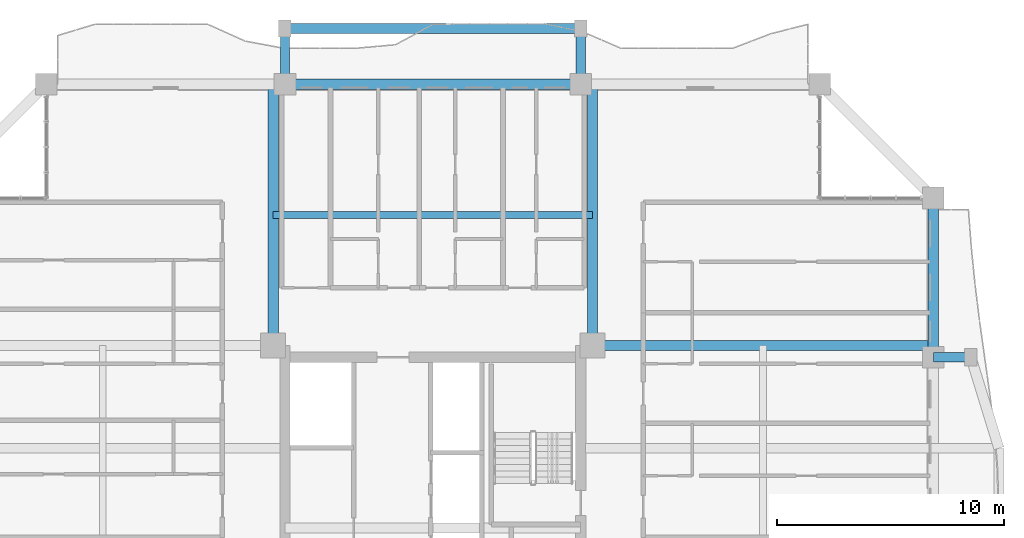
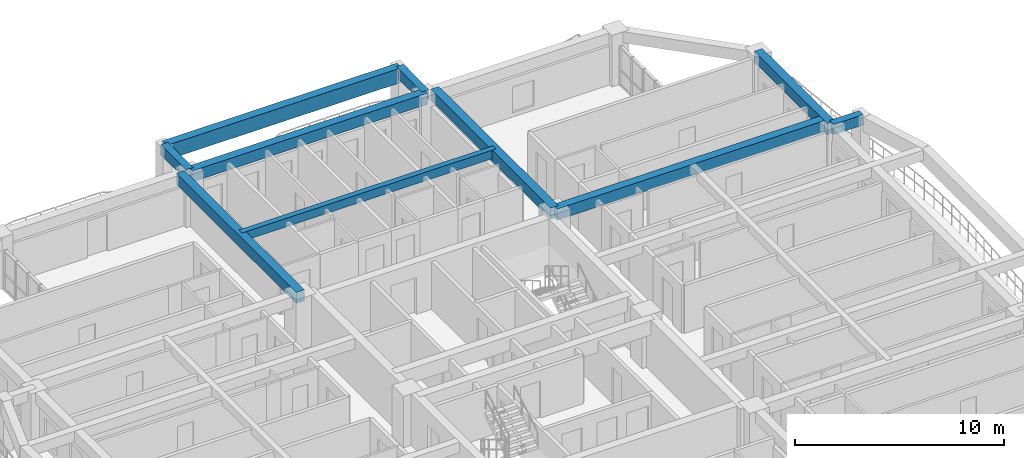
# One storey, part 8 of 24: 10 beams.
"""IFC4 building model written with IfcOpenShell, lengths in metres."""

from ifc_helpers import new_model, si_unit, direction, frame, origin, origin_2d, place, context, subcontext, project, spatial, rectangle, extrude, source, transform, mapped, material, material_profile, profile_set, type_object, element, save


model = new_model("IFC4")

# Units and contexts
model_context = context("Model", 3, precision=1e-05, world=origin(), true_north=direction((0.0, 1.0)))
body_context = subcontext(model_context, "Body", "Model", "MODEL_VIEW")
ifc_project = project(units=[si_unit("LENGTHUNIT", "METRE"), si_unit("AREAUNIT", "SQUARE_METRE"), si_unit("VOLUMEUNIT", "CUBIC_METRE"), si_unit("PLANEANGLEUNIT", "RADIAN"), si_unit("MASSUNIT", "GRAM", prefix="KILO")], contexts=[model_context])

# Site, building, storey
site_placement = place(None, origin())
site = spatial("IfcSite", under=ifc_project, at=site_placement, CompositionType="ELEMENT")
building_placement = place(site_placement, origin())
building = spatial("IfcBuilding", under=site, at=building_placement, Name="Saelheon Loggia Tower", CompositionType="ELEMENT")
storey_placement = place(building_placement, frame((0.0, 0.0, 166.0)))
storey = spatial("IfcBuildingStorey", under=building, at=storey_placement, Name="L52", CompositionType="ELEMENT", Elevation=166.0)

# Beams
ifc_material_1 = material(Name="Precast Concrete C45/55", Category="concrete")
ifc_material_profile_1 = material_profile(ifc_material_1, rectangle(XDim=0.449951171875, YDim=0.85009765625, at=origin_2d()), Name="RC-450x850")
ifc_profile_set_1 = profile_set([ifc_material_profile_1], Name="Precast Concrete C45/55")
beam_type_1 = type_object("IfcBeamType", Name="Beam_LoggiaSpandrel_RC450x850", PredefinedType="SPANDREL", material=ifc_profile_set_1)
shared_shape_1 = source(origin(), body_context, "Body", "SweptSolid", [
    extrude(rectangle(XDim=0.449951171875, YDim=0.85009765625, at=origin_2d()), origin(), (0.0, 0.0, 1.0), 13.0),
])
beam_1_placement = place(storey_placement, frame((31.5, 50.449951171875, 2.574951171875), z_axis=(1.0, 0.0, 0.0), x_axis=(0.0, 1.0, 0.0)))
element("IfcBeam", 1, at=beam_1_placement, inside=storey, type_object=beam_type_1, Name="L52 Loggia Spandrel Beam N", PredefinedType="SPANDREL", context=body_context, shape_type="MappedRepresentation", body=[
    mapped(shared_shape_1, transform((0.0, 0.0, 0.0), scale=1.0)),
])
ifc_material_profile_2 = material_profile(ifc_material_1, rectangle(XDim=0.39990234375, YDim=0.60009765625, at=origin_2d()), Name="RC-400x600")
ifc_profile_set_2 = profile_set([ifc_material_profile_2], Name="Precast Concrete C45/55")
beam_type_2 = type_object("IfcBeamType", Name="Beam_LoggiaTie_RC400x600", PredefinedType="BEAM", material=ifc_profile_set_2)
shared_shape_2 = source(origin(), body_context, "Body", "SweptSolid", [
    extrude(rectangle(XDim=0.39990234375, YDim=0.60009765625, at=origin_2d()), origin(), (0.0, 0.0, 1.0), 2.449951171875),
])
for number, where, z_axis, x_axis, name in (
    (2, (31.5, 48.0, 2.699951171875), (0.0, 1.0, 0.0), (-1.0, 0.0, 0.0), "L52 Loggia Frame Tie Beam LP-N1"),
    (3, (44.5, 48.0, 2.699951171875), (0.0, 1.0, 0.0), (-1.0, 0.0, 0.0), "L52 Loggia Frame Tie Beam LP-N2"),
):
    element("IfcBeam", number, at=place(storey_placement, frame(where, z_axis=z_axis, x_axis=x_axis)), inside=storey, type_object=beam_type_2, Name=name, PredefinedType="BEAM", context=body_context, shape_type="MappedRepresentation", body=[
        mapped(shared_shape_2, transform((0.0, 0.0, 0.0), scale=1.0)),
    ])
ifc_material_2 = material(Name="Concrete C40/50", Category="concrete")
ifc_material_profile_3 = material_profile(ifc_material_2, rectangle(XDim=0.449951171875, YDim=0.64990234375, at=origin_2d()), Name="RC-450x650")
ifc_profile_set_3 = profile_set([ifc_material_profile_3], Name="Concrete C40/50")
beam_type_3 = type_object("IfcBeamType", Name="Beam_PerimTower_RC450x650", PredefinedType="BEAM", material=ifc_profile_set_3)
shared_shape_3 = source(origin(), body_context, "Body", "SweptSolid", [
    extrude(rectangle(XDim=0.449951171875, YDim=0.64990234375, at=origin_2d()), origin(), (0.0, 0.0, 1.0), 13.0),
])
beam_2_placement = place(storey_placement, frame((44.5, 48.0, 2.675048828125), z_axis=(-1.0, 0.0, 0.0), x_axis=(0.0, -1.0, 0.0)))
element("IfcBeam", 4, at=beam_2_placement, inside=storey, type_object=beam_type_3, Name="L52 Perimeter Frame Girder 10", PredefinedType="BEAM", context=body_context, shape_type="MappedRepresentation", body=[
    mapped(shared_shape_3, transform((0.0, 0.0, 0.0), scale=1.0)),
])
ifc_material_profile_4 = material_profile(ifc_material_2, rectangle(XDim=0.300048828125, YDim=0.5, at=origin_2d()), Name="RC-300x500")
ifc_profile_set_4 = profile_set([ifc_material_profile_4], Name="Concrete C40/50")
beam_type_4 = type_object("IfcBeamType", Name="Beam_Joist_RC300x500", PredefinedType="JOIST", material=ifc_profile_set_4)
shared_shape_4 = source(origin(), body_context, "Body", "SweptSolid", [
    extrude(rectangle(XDim=0.300048828125, YDim=0.5, at=origin_2d()), origin(), (0.0, 0.0, 1.0), 14.0400390625),
])
beam_3_placement = place(storey_placement, frame((30.97998046875, 42.260009765625, 2.75), z_axis=(1.0, 0.0, 0.0), x_axis=(0.0, 1.0, 0.0)))
element("IfcBeam", 5, at=beam_3_placement, inside=storey, type_object=beam_type_4, Name="L52 North Floor Joist", PredefinedType="JOIST", context=body_context, shape_type="MappedRepresentation", body=[
    mapped(shared_shape_4, transform((0.0, 0.0, 0.0), scale=1.0)),
])
shared_shape_5 = source(origin(), body_context, "Body", "SweptSolid", [
    extrude(rectangle(XDim=0.449951171875, YDim=0.64990234375, at=origin_2d()), origin(), (0.0, 0.0, 1.0), 7.0),
])
beam_4_placement = place(storey_placement, frame((60.0, 36.0, 2.675048828125), z_axis=(0.0, 1.0, 0.0), x_axis=(-1.0, 0.0, 0.0)))
element("IfcBeam", 6, at=beam_4_placement, inside=storey, type_object=beam_type_3, Name="L52 Perimeter Frame Girder 07", PredefinedType="BEAM", context=body_context, shape_type="MappedRepresentation", body=[
    mapped(shared_shape_5, transform((0.0, 0.0, 0.0), scale=1.0)),
])
ifc_material_profile_5 = material_profile(ifc_material_2, rectangle(XDim=0.449951171875, YDim=0.64990234375, at=origin_2d()), Name="RC-450x650")
ifc_profile_set_5 = profile_set([ifc_material_profile_5], Name="Concrete C40/50")
beam_type_5 = type_object("IfcBeamType", Name="Beam_TowerGirder_RC450x650", PredefinedType="BEAM", material=ifc_profile_set_5)
shared_shape_6 = source(origin(), body_context, "Body", "SweptSolid", [
    extrude(rectangle(XDim=0.449951171875, YDim=0.64990234375, at=origin_2d()), origin(), (0.0, 0.0, 1.0), 11.47998046875),
])
for number, where, z_axis, x_axis, name in (
    (7, (30.97998046875, 36.52001953125, 2.675048828125), (0.0, 1.0, 0.0), (-1.0, 0.0, 0.0), "L52 Radial Floor Girder RAD-NW-N"),
    (8, (45.02001953125, 36.52001953125, 2.675048828125), (0.0, 1.0, 0.0), (-1.0, 0.0, 0.0), "L52 Radial Floor Girder RAD-NE-N"),
):
    element("IfcBeam", number, at=place(storey_placement, frame(where, z_axis=z_axis, x_axis=x_axis)), inside=storey, type_object=beam_type_5, Name=name, PredefinedType="BEAM", context=body_context, shape_type="MappedRepresentation", body=[
        mapped(shared_shape_6, transform((0.0, 0.0, 0.0), scale=1.0)),
    ])
shared_shape_7 = source(origin(), body_context, "Body", "SweptSolid", [
    extrude(rectangle(XDim=0.449951171875, YDim=0.64990234375, at=origin_2d()), origin(), (0.0, 0.0, 1.0), 14.97998046875),
])
beam_5_placement = place(storey_placement, frame((45.02001953125, 36.52001953125, 2.675048828125), z_axis=(1.0, 0.0, 0.0), x_axis=(0.0, 1.0, 0.0)))
element("IfcBeam", 9, at=beam_5_placement, inside=storey, type_object=beam_type_5, Name="L52 Radial Floor Girder RAD-NE-E", PredefinedType="BEAM", context=body_context, shape_type="MappedRepresentation", body=[
    mapped(shared_shape_7, transform((0.0, 0.0, 0.0), scale=1.0)),
])
shared_shape_8 = source(origin(), body_context, "Body", "SweptSolid", [
    extrude(rectangle(XDim=0.39990234375, YDim=0.60009765625, at=origin_2d()), origin(), (0.0, 0.0, 1.0), 1.64990234375),
])
beam_6_placement = place(storey_placement, frame((60.0, 36.0, 2.699951171875), z_axis=(1.0, 0.0, 0.0), x_axis=(0.0, 1.0, 0.0)))
element("IfcBeam", 10, at=beam_6_placement, inside=storey, type_object=beam_type_2, Name="L52 Loggia Frame Tie Beam LP-E2", PredefinedType="BEAM", context=body_context, shape_type="MappedRepresentation", body=[
    mapped(shared_shape_8, transform((0.0, 0.0, 0.0), scale=1.0)),
])

save(model, "model.ifc")
